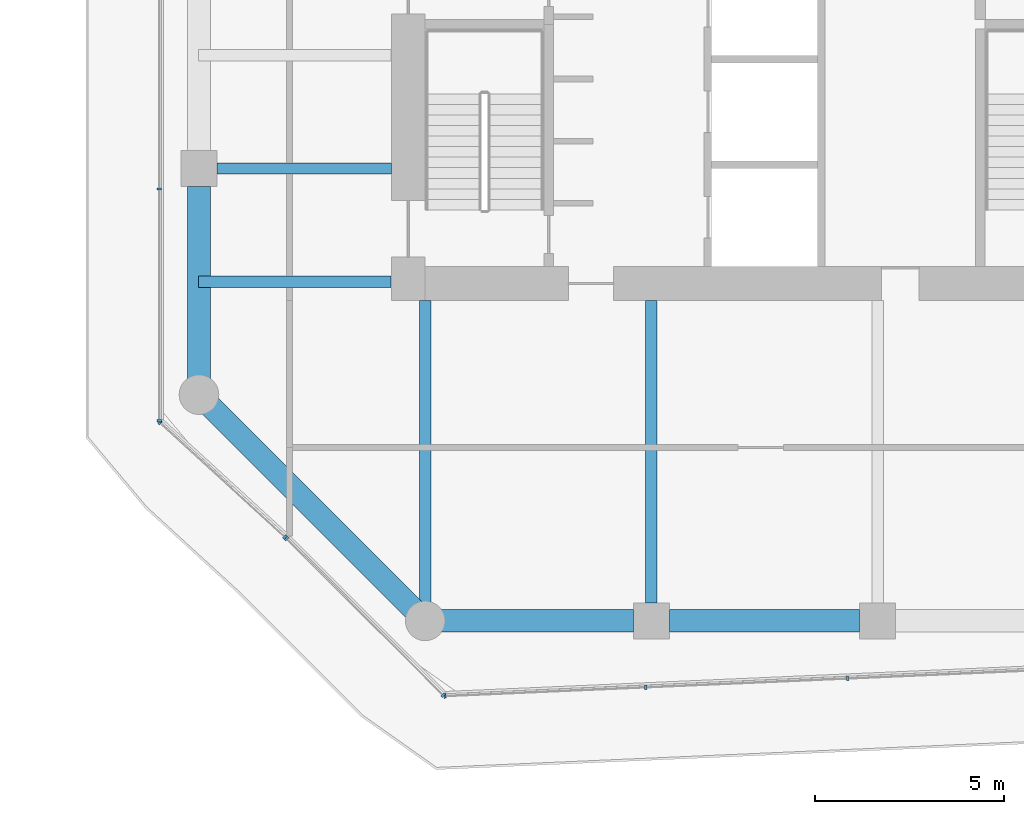
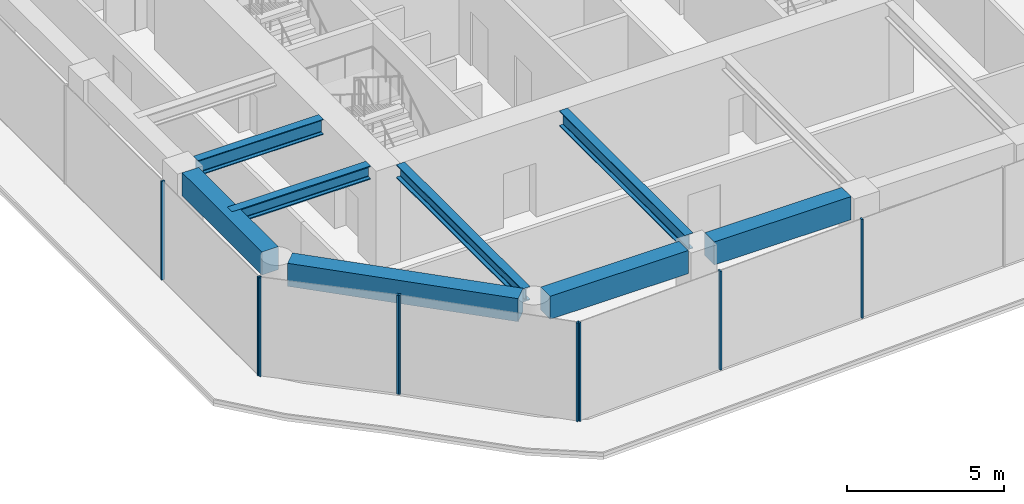
# One storey, part 2 of 29: 9 members, 8 beams, 4 elements without a shape of their own.
"""IFC4 building model written with IfcOpenShell, lengths in metres."""

from ifc_helpers import new_model, si_unit, direction, frame, origin, origin_2d, place, context, subcontext, project, spatial, rectangle, i_section, extrude, material, layer, layer_set, material_profile, profile_set, type_object, element, aggregate, save


model = new_model("IFC4")

# Units and contexts
model_context = context("Model", 3, precision=1e-05, world=origin(), true_north=direction((0.0, 1.0)))
body_context = subcontext(model_context, "Body", "Model", "MODEL_VIEW")
ifc_project = project(units=[si_unit("LENGTHUNIT", "METRE"), si_unit("AREAUNIT", "SQUARE_METRE"), si_unit("VOLUMEUNIT", "CUBIC_METRE"), si_unit("PLANEANGLEUNIT", "RADIAN"), si_unit("MASSUNIT", "GRAM", prefix="KILO")], contexts=[model_context])

# Site, building, storey
site_placement = place(None, origin())
site = spatial("IfcSite", under=ifc_project, at=site_placement, CompositionType="ELEMENT")
building_placement = place(site_placement, origin())
building = spatial("IfcBuilding", under=site, at=building_placement, Name="Welwitschia Terrace Campus", CompositionType="ELEMENT")
storey_placement = place(building_placement, frame((0.0, 0.0, 62.60009765625)))
storey = spatial("IfcBuildingStorey", under=building, at=storey_placement, Name="L14", CompositionType="ELEMENT", Elevation=62.60009765625)

# Beams
ifc_material_1 = material(Name="Steel S355", Category="steel")
ifc_material_profile_1 = material_profile(ifc_material_1, i_section(OverallWidth=0.305908203125, OverallDepth=0.52392578125, WebThickness=0.02099609375, FlangeThickness=0.0400390625, FilletRadius=0.027099609375, at=origin_2d()))
ifc_profile_set_1 = profile_set([ifc_material_profile_1], Name="Steel S355")
beam_type_1 = type_object("IfcBeamType", Name="Interior girder HE 500 M", PredefinedType="BEAM", material=ifc_profile_set_1)
beam_1_placement = place(storey_placement, frame((-0.010009765625, 5.0, 3.587890625), z_axis=(1.0, 0.0, 0.0), x_axis=(0.0, 1.0, 0.0)))
element("IfcBeam", 1, at=beam_1_placement, inside=storey, type_object=beam_type_1, Name="Girder GB2", PredefinedType="BEAM", context=body_context, shape_type="SweptSolid", body=[
    extrude(i_section(OverallWidth=0.305908203125, OverallDepth=0.52392578125, WebThickness=0.02099609375, FlangeThickness=0.0400390625, FilletRadius=0.027099609375, at=origin_2d()), origin(), (0.0, 0.0, 1.0), 5.109130859375),
])
beam_2_placement = place(storey_placement, frame((6.0, -3.507080078125, 3.587890625), z_axis=(0.0, 1.0, 0.0), x_axis=(-1.0, 0.0, 0.0)))
element("IfcBeam", 2, at=beam_2_placement, inside=storey, type_object=beam_type_1, Name="Girder GB2", PredefinedType="BEAM", context=body_context, shape_type="SweptSolid", body=[
    extrude(i_section(OverallWidth=0.305908203125, OverallDepth=0.52392578125, WebThickness=0.02099609375, FlangeThickness=0.0400390625, FilletRadius=0.027099609375, at=origin_2d()), origin(), (0.0, 0.0, 1.0), 8.006103515625),
])

# Curtain wall, members
ifc_material_2 = material(Name="Bronze anodised aluminium", Category="aluminium")
ifc_layer = layer(ifc_material_2, 0.1201171875)
ifc_layer_set = layer_set([ifc_layer], Name="Bronze anodised aluminium")
curtain_wall_type = type_object("IfcCurtainWallType", Name="Curtain wall CW2 tower 6000", PredefinedType="NOTDEFINED", material=ifc_layer_set)
curtain_wall_1_placement = place(storey_placement, origin())
curtain_wall_1 = element("IfcCurtainWall", 3, at=curtain_wall_1_placement, inside=storey, type_object=curtain_wall_type, Name="CW L14.0.0", PredefinedType="NOTDEFINED")
ifc_material_3 = material(Name="Bronze anodised aluminium", Category="aluminium")
ifc_material_profile_2 = material_profile(ifc_material_3, rectangle(XDim=0.1201171875, YDim=0.06005859375, at=origin_2d()))
ifc_profile_set_2 = profile_set([ifc_material_profile_2], Name="Bronze anodised aluminium")
member_type = type_object("IfcMemberType", Name="Mullion 60x120", PredefinedType="MULLION", material=ifc_profile_set_2)
member_1_placement = place(storey_placement, frame((-1.035888671875, 1.260498046875, 0.0), z_axis=(0.0, 0.0, 1.0), x_axis=(0.675590207616, 0.73727733681, 0.0)))
member_1 = element("IfcMember", 4, at=member_1_placement, type_object=member_type, Name="Mullion L14.0.0.0", PredefinedType="MULLION", context=body_context, shape_type="SweptSolid", body=[
    extrude(rectangle(XDim=0.1201171875, YDim=0.06005859375, at=origin_2d()), origin(), (0.0, 0.0, 1.0), 3.849853515625),
])
member_2_placement = place(storey_placement, frame((2.2783203125, -1.776611328125, 0.0), z_axis=(0.0, 0.0, 1.0), x_axis=(0.675590207616, 0.73727733681, 0.0)))
member_2 = element("IfcMember", 5, at=member_2_placement, type_object=member_type, Name="Mullion L14.0.0.1", PredefinedType="MULLION", context=body_context, shape_type="SweptSolid", body=[
    extrude(rectangle(XDim=0.1201171875, YDim=0.06005859375, at=origin_2d()), origin(), (0.0, 0.0, 1.0), 3.849853515625),
])
aggregate(curtain_wall_1, [member_1, member_2])

curtain_wall_2_placement = place(storey_placement, origin())
curtain_wall_2 = element("IfcCurtainWall", 6, at=curtain_wall_2_placement, inside=storey, type_object=curtain_wall_type, Name="CW L14.1.0", PredefinedType="NOTDEFINED")
member_3_placement = place(storey_placement, frame((2.32177734375, -1.81787109375, 0.0), z_axis=(0.0, 0.0, 1.0), x_axis=(0.707106781187, 0.707106781187, 0.0)))
member_3 = element("IfcMember", 7, at=member_3_placement, type_object=member_type, Name="Mullion L14.1.0.0", PredefinedType="MULLION", context=body_context, shape_type="SweptSolid", body=[
    extrude(rectangle(XDim=0.1201171875, YDim=0.06005859375, at=origin_2d()), origin(), (0.0, 0.0, 1.0), 3.849853515625),
])
member_4_placement = place(storey_placement, frame((6.475341796875, -5.9716796875, 0.0), z_axis=(0.0, 0.0, 1.0), x_axis=(0.707106781187, 0.707106781187, 0.0)))
member_4 = element("IfcMember", 8, at=member_4_placement, type_object=member_type, Name="Mullion L14.1.0.1", PredefinedType="MULLION", context=body_context, shape_type="SweptSolid", body=[
    extrude(rectangle(XDim=0.1201171875, YDim=0.06005859375, at=origin_2d()), origin(), (0.0, 0.0, 1.0), 3.849853515625),
])
aggregate(curtain_wall_2, [member_3, member_4])

curtain_wall_3_placement = place(storey_placement, origin())
curtain_wall_3 = element("IfcCurtainWall", 9, at=curtain_wall_3_placement, inside=storey, type_object=curtain_wall_type, Name="CW L14.2.0", PredefinedType="NOTDEFINED")
member_5_placement = place(storey_placement, frame((6.526611328125, -5.991455078125, 0.0), z_axis=(0.0, 0.0, 1.0), x_axis=(-0.043619387365, 0.999048221582, 0.0)))
member_5 = element("IfcMember", 10, at=member_5_placement, type_object=member_type, Name="Mullion L14.2.0.0", PredefinedType="MULLION", context=body_context, shape_type="SweptSolid", body=[
    extrude(rectangle(XDim=0.1201171875, YDim=0.06005859375, at=origin_2d()), origin(), (0.0, 0.0, 1.0), 3.849853515625),
])
member_6_placement = place(storey_placement, frame((11.849609375, -5.75927734375, 0.0), z_axis=(0.0, 0.0, 1.0), x_axis=(-0.043619387365, 0.999048221582, 0.0)))
member_6 = element("IfcMember", 11, at=member_6_placement, type_object=member_type, Name="Mullion L14.2.0.1", PredefinedType="MULLION", context=body_context, shape_type="SweptSolid", body=[
    extrude(rectangle(XDim=0.1201171875, YDim=0.06005859375, at=origin_2d()), origin(), (0.0, 0.0, 1.0), 3.849853515625),
])
member_7_placement = place(storey_placement, frame((17.20263671875, -5.525390625, 0.0), z_axis=(0.0, 0.0, 1.0), x_axis=(-0.043619387365, 0.999048221582, 0.0)))
member_7 = element("IfcMember", 12, at=member_7_placement, type_object=member_type, Name="Mullion L14.2.0.2", PredefinedType="MULLION", context=body_context, shape_type="SweptSolid", body=[
    extrude(rectangle(XDim=0.1201171875, YDim=0.06005859375, at=origin_2d()), origin(), (0.0, 0.0, 1.0), 3.849853515625),
])
aggregate(curtain_wall_3, [member_5, member_6, member_7])

curtain_wall_4_placement = place(storey_placement, origin())
curtain_wall_4 = element("IfcCurtainWall", 13, at=curtain_wall_4_placement, inside=storey, type_object=curtain_wall_type, Name="CW L14.12.5", PredefinedType="NOTDEFINED")
member_8_placement = place(storey_placement, frame((-1.05810546875, 7.45849609375, 0.0), z_axis=(0.0, 0.0, 1.0), x_axis=(1.0, 0.0, 0.0)))
member_8 = element("IfcMember", 14, at=member_8_placement, type_object=member_type, Name="Mullion L14.12.5.4", PredefinedType="MULLION", context=body_context, shape_type="SweptSolid", body=[
    extrude(rectangle(XDim=0.1201171875, YDim=0.06005859375, at=origin_2d()), origin(), (0.0, 0.0, 1.0), 3.849853515625),
])
member_9_placement = place(storey_placement, frame((-1.05810546875, 1.310791015625, 0.0), z_axis=(0.0, 0.0, 1.0), x_axis=(1.0, 0.0, 0.0)))
member_9 = element("IfcMember", 15, at=member_9_placement, type_object=member_type, Name="Mullion L14.12.5.5", PredefinedType="MULLION", context=body_context, shape_type="SweptSolid", body=[
    extrude(rectangle(XDim=0.1201171875, YDim=0.06005859375, at=origin_2d()), origin(), (0.0, 0.0, 1.0), 3.849853515625),
])
aggregate(curtain_wall_4, [member_8, member_9])

# Beams
ifc_material_4 = material(Name="Steel S355", Category="steel")
ifc_material_profile_3 = material_profile(ifc_material_4, i_section(OverallWidth=0.300048828125, OverallDepth=0.60009765625, WebThickness=0.015380859375, FlangeThickness=0.030029296875, FilletRadius=0.027099609375, at=origin_2d()))
ifc_profile_set_3 = profile_set([ifc_material_profile_3], Name="Steel S355")
beam_type_2 = type_object("IfcBeamType", Name="Primary beam HE 600 B", PredefinedType="BEAM", material=ifc_profile_set_3)
beam_3_placement = place(storey_placement, frame((12.0, -3.5244140625, 3.5498046875), z_axis=(0.0, 1.0, 0.0), x_axis=(-1.0, 0.0, 0.0)))
element("IfcBeam", 16, at=beam_3_placement, inside=storey, type_object=beam_type_2, Name="Primary beam PB2", PredefinedType="BEAM", context=body_context, shape_type="SweptSolid", body=[
    extrude(i_section(OverallWidth=0.300048828125, OverallDepth=0.60009765625, WebThickness=0.015380859375, FlangeThickness=0.030029296875, FilletRadius=0.027099609375, at=origin_2d()), origin(), (0.0, 0.0, 1.0), 8.0244140625),
])
beam_4_placement = place(storey_placement, frame((0.4755859375, 8.0, 3.5498046875), z_axis=(1.0, 0.0, 0.0), x_axis=(0.0, 1.0, 0.0)))
element("IfcBeam", 17, at=beam_4_placement, inside=storey, type_object=beam_type_2, Name="Primary beam PB2", PredefinedType="BEAM", context=body_context, shape_type="SweptSolid", body=[
    extrude(i_section(OverallWidth=0.300048828125, OverallDepth=0.60009765625, WebThickness=0.015380859375, FlangeThickness=0.030029296875, FilletRadius=0.027099609375, at=origin_2d()), origin(), (0.0, 0.0, 1.0), 4.62451171875),
])
ifc_material_5 = material(Name="Concrete C60/75", Category="concrete")
ifc_material_profile_4 = material_profile(ifc_material_5, rectangle(XDim=0.60009765625, YDim=0.89990234375, at=origin_2d()))
ifc_profile_set_4 = profile_set([ifc_material_profile_4], Name="Concrete C60/75")
beam_type_3 = type_object("IfcBeamType", Name="Ring spandrel 600x900", PredefinedType="SPANDREL", material=ifc_profile_set_4)
beam_5_placement = place(storey_placement, frame((0.30517578125, 1.69482421875, 3.39990234375), z_axis=(0.707106781187, -0.707106781187, 0.0), x_axis=(0.707106781187, 0.707106781187, 0.0)))
element("IfcBeam", 18, at=beam_5_placement, inside=storey, type_object=beam_type_3, Name="Spandrel SP2", PredefinedType="SPANDREL", context=body_context, shape_type="SweptSolid", body=[
    extrude(rectangle(XDim=0.60009765625, YDim=0.89990234375, at=origin_2d()), origin(), (0.0, 0.0, 1.0), 7.6220703125),
])
beam_6_placement = place(storey_placement, frame((6.431396484375, -4.0, 3.39990234375), z_axis=(1.0, 0.0, 0.0), x_axis=(0.0, 1.0, 0.0)))
element("IfcBeam", 19, at=beam_6_placement, inside=storey, type_object=beam_type_3, Name="Spandrel SP2", PredefinedType="SPANDREL", context=body_context, shape_type="SweptSolid", body=[
    extrude(rectangle(XDim=0.60009765625, YDim=0.89990234375, at=origin_2d()), origin(), (0.0, 0.0, 1.0), 5.093017578125),
])
beam_7_placement = place(storey_placement, frame((12.4755859375, -4.0, 3.39990234375), z_axis=(1.0, 0.0, 0.0), x_axis=(0.0, 1.0, 0.0)))
element("IfcBeam", 20, at=beam_7_placement, inside=storey, type_object=beam_type_3, Name="Spandrel SP2", PredefinedType="SPANDREL", context=body_context, shape_type="SweptSolid", body=[
    extrude(rectangle(XDim=0.60009765625, YDim=0.89990234375, at=origin_2d()), origin(), (0.0, 0.0, 1.0), 5.048828125),
])
beam_8_placement = place(storey_placement, frame((0.0, 7.5244140625, 3.39990234375), z_axis=(0.0, -1.0, 0.0), x_axis=(1.0, 0.0, 0.0)))
element("IfcBeam", 21, at=beam_8_placement, inside=storey, type_object=beam_type_3, Name="Spandrel SP2", PredefinedType="SPANDREL", context=body_context, shape_type="SweptSolid", body=[
    extrude(rectangle(XDim=0.60009765625, YDim=0.89990234375, at=origin_2d()), origin(), (0.0, 0.0, 1.0), 5.093017578125),
])

save(model, "model.ifc")
